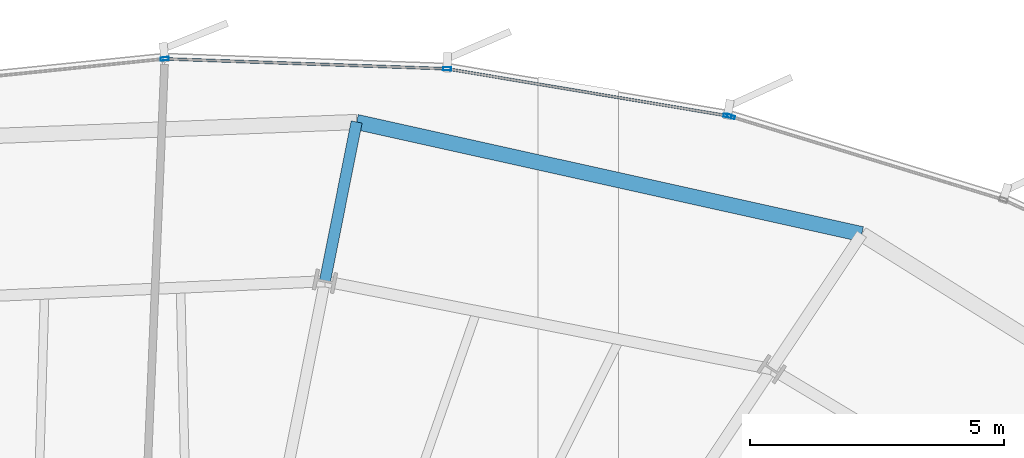
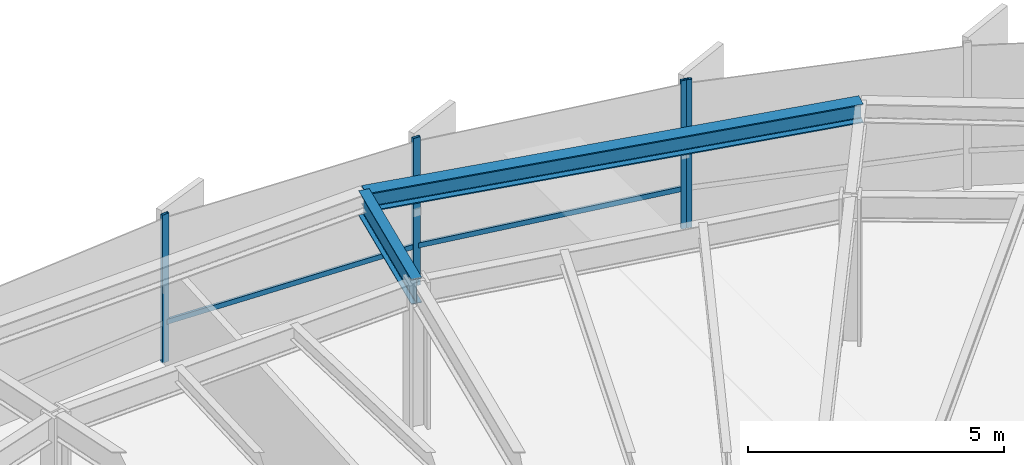
# One storey, part 25 of 35: 6 members, 2 beams, 2 elements without a shape of their own.
"""IFC4 building model written with IfcOpenShell, lengths in metres."""

from ifc_helpers import new_model, si_unit, direction, frame, origin, origin_2d, place, context, subcontext, project, spatial, hollow_rectangle, i_section, extrude, source, transform, mapped, material, layer, layer_set, material_profile, profile_set, type_object, element, aggregate, save


model = new_model("IFC4")

# Units and contexts
model_context = context("Model", 3, precision=1e-05, world=origin(), true_north=direction((0.0, 1.0)))
body_context = subcontext(model_context, "Body", "Model", "MODEL_VIEW")
ifc_project = project(units=[si_unit("LENGTHUNIT", "METRE"), si_unit("AREAUNIT", "SQUARE_METRE"), si_unit("VOLUMEUNIT", "CUBIC_METRE"), si_unit("PLANEANGLEUNIT", "RADIAN"), si_unit("MASSUNIT", "GRAM", prefix="KILO"), si_unit("THERMODYNAMICTEMPERATUREUNIT", "KELVIN")], contexts=[model_context])

# Site, building, storey
site_placement = place(None, origin())
site = spatial("IfcSite", under=ifc_project, at=site_placement, CompositionType="ELEMENT")
building_placement = place(site_placement, origin())
building = spatial("IfcBuilding", under=site, at=building_placement, Name="Kethvar Cultural Tower", CompositionType="ELEMENT")
storey_placement = place(building_placement, frame((0.0, 0.0, 71.39990234375)))
storey = spatial("IfcBuildingStorey", under=building, at=storey_placement, Name="L17", CompositionType="ELEMENT", Elevation=71.39990234375)

# Beams
ifc_material_1 = material(Name="Steel S355J2", Category="steel")
ifc_material_profile_1 = material_profile(ifc_material_1, i_section(OverallWidth=0.219970703125, OverallDepth=0.60009765625, WebThickness=0.011962890625, FlangeThickness=0.01904296875, FilletRadius=0.02392578125, at=origin_2d()), Name="Steel S355J2 — IPE600")
ifc_profile_set_1 = profile_set([ifc_material_profile_1], Name="Steel S355J2 — IPE600")
beam_type_1 = type_object("IfcBeamType", Name="BM-IPE600", PredefinedType="BEAM", material=ifc_profile_set_1)
shared_shape_1 = source(origin(), body_context, "Body", "SweptSolid", [
    extrude(i_section(OverallWidth=0.219970703125, OverallDepth=0.60009765625, WebThickness=0.011962890625, FlangeThickness=0.01904296875, FilletRadius=0.02392578125, at=origin_2d()), origin(), (0.0, 0.0, 1.0), 3.199951171875),
])
beam_1_placement = place(storey_placement, frame((51.022216796875, 49.02587890625, 3.238037109375), z_axis=(0.195088965533, 0.980785550224, 0.0), x_axis=(-0.980785550224, 0.195088965533, 0.0)))
element("IfcBeam", 1, at=beam_1_placement, inside=storey, type_object=beam_type_1, Name="L17 Perimeter Cantilever Beam RC-04", PredefinedType="BEAM", context=body_context, shape_type="MappedRepresentation", body=[
    mapped(shared_shape_1, transform((0.0, 0.0, 0.0), scale=1.0)),
])
ifc_material_profile_2 = material_profile(ifc_material_1, i_section(OverallWidth=0.300048828125, OverallDepth=0.449951171875, WebThickness=0.013916015625, FlangeThickness=0.02587890625, FilletRadius=0.027099609375, at=origin_2d()), Name="Steel S355J2 — HEB450")
ifc_profile_set_2 = profile_set([ifc_material_profile_2], Name="Steel S355J2 — HEB450")
beam_type_2 = type_object("IfcBeamType", Name="BM-SP450", PredefinedType="SPANDREL", material=ifc_profile_set_2)
shared_shape_2 = source(origin(), body_context, "Body", "SweptSolid", [
    extrude(i_section(OverallWidth=0.300048828125, OverallDepth=0.449951171875, WebThickness=0.013916015625, FlangeThickness=0.02587890625, FilletRadius=0.027099609375, at=origin_2d()), origin(), (0.0, 0.0, 1.0), 10.19873046875),
])
beam_2_placement = place(storey_placement, frame((61.602783203125, 49.9541015625, 3.31298828125), z_axis=(-0.976234913358, 0.216715006268, 0.0), x_axis=(-0.216715006268, -0.976234913358, 0.0)))
element("IfcBeam", 2, at=beam_2_placement, inside=storey, type_object=beam_type_2, Name="L17 Perimeter Spandrel Beam SP-03", PredefinedType="SPANDREL", context=body_context, shape_type="MappedRepresentation", body=[
    mapped(shared_shape_2, transform((0.0, 0.0, 0.0), scale=1.0)),
])

# Curtain wall, member
ifc_material_2 = material(Name="Aluminium 6063-T6", Category="aluminium")
ifc_layer = layer(ifc_material_2, 0.179931640625, Name="Aluminium 6063-T6", Category="aluminium")
ifc_layer_set = layer_set([ifc_layer], Name="Aluminium 6063-T6 (180 mm)")
curtain_wall_type = type_object("IfcCurtainWallType", Name="CW-SYS-02-Z1", PredefinedType="NOTDEFINED", material=ifc_layer_set)
curtain_wall_1_placement = place(storey_placement, origin())
curtain_wall_1 = element("IfcCurtainWall", 3, at=curtain_wall_1_placement, inside=storey, type_object=curtain_wall_type, Name="L17 Curtain Wall Run 01", PredefinedType="NOTDEFINED")
ifc_material_profile_3 = material_profile(ifc_material_2, hollow_rectangle(XDim=0.06494140625, YDim=0.159912109375, WallThickness=0.0048828125, at=origin_2d()), Name="Aluminium 6063-T6 — RHS160x65x5")
ifc_profile_set_3 = profile_set([ifc_material_profile_3], Name="Aluminium 6063-T6 — RHS160x65x5")
member_type_1 = type_object("IfcMemberType", Name="CW-SYS-02-Z1-MUL", PredefinedType="MULLION", material=ifc_profile_set_3)
shared_shape_3 = source(origin(), body_context, "Body", "SweptSolid", [
    extrude(hollow_rectangle(XDim=0.06494140625, YDim=0.159912109375, WallThickness=0.0048828125, at=origin_2d()), origin(), (0.0, 0.0, 1.0), 3.5400390625),
])
member_1_placement = place(storey_placement, frame((59.024658203125, 52.27001953125, 0.0), z_axis=(0.0, 0.0, 1.0), x_axis=(-0.291620534626, -0.956534089191, 0.0)))
member_1 = element("IfcMember", 4, at=member_1_placement, type_object=member_type_1, Name="CW-L17-R01 Mullion 7", PredefinedType="MULLION", context=body_context, shape_type="MappedRepresentation", body=[
    mapped(shared_shape_3, transform((0.0, 0.0, 0.0), scale=1.0)),
])
aggregate(curtain_wall_1, [member_1])

# Curtain wall, members
curtain_wall_2_placement = place(storey_placement, origin())
curtain_wall_2 = element("IfcCurtainWall", 5, at=curtain_wall_2_placement, inside=storey, type_object=curtain_wall_type, Name="L17 Curtain Wall Run 02", PredefinedType="NOTDEFINED")
member_2_placement = place(storey_placement, frame((58.957763671875, 52.28564453125, 0.0), z_axis=(0.0, 0.0, 1.0), x_axis=(-0.165271382715, -0.986248128037, 0.0)))
member_2 = element("IfcMember", 6, at=member_2_placement, type_object=member_type_1, Name="CW-L17-R02 Mullion 1", PredefinedType="MULLION", context=body_context, shape_type="MappedRepresentation", body=[
    mapped(shared_shape_3, transform((0.0, 0.0, 0.0), scale=1.0)),
])
member_3_placement = place(storey_placement, frame((53.42919921875, 53.213134765625, 0.0), z_axis=(0.0, 0.0, 1.0), x_axis=(-0.035178577905, -0.999381042274, 0.0)))
member_3 = element("IfcMember", 7, at=member_3_placement, type_object=member_type_1, Name="CW-L17-R02 Mullion 2", PredefinedType="MULLION", context=body_context, shape_type="MappedRepresentation", body=[
    mapped(shared_shape_3, transform((0.0, 0.0, 0.0), scale=1.0)),
])
member_4_placement = place(storey_placement, frame((47.865478515625, 53.41015625, 0.0), z_axis=(0.0, 0.0, 1.0), x_axis=(0.101646653453, -0.994820565651, 0.0)))
member_4 = element("IfcMember", 8, at=member_4_placement, type_object=member_type_1, Name="CW-L17-R02 Mullion 3", PredefinedType="MULLION", context=body_context, shape_type="MappedRepresentation", body=[
    mapped(shared_shape_3, transform((0.0, 0.0, 0.0), scale=1.0)),
])
ifc_material_profile_4 = material_profile(ifc_material_2, hollow_rectangle(XDim=0.054931640625, YDim=0.1201171875, WallThickness=0.00390625, at=origin_2d()), Name="Aluminium 6063-T6 — RHS120x55x4")
ifc_profile_set_4 = profile_set([ifc_material_profile_4], Name="Aluminium 6063-T6 — RHS120x55x4")
member_type_2 = type_object("IfcMemberType", Name="CW-SYS-02-Z1-TRN", PredefinedType="USERDEFINED", material=ifc_profile_set_4)
shared_shape_4 = source(origin(), body_context, "Body", "SweptSolid", [
    extrude(hollow_rectangle(XDim=0.054931640625, YDim=0.1201171875, WallThickness=0.00390625, at=origin_2d()), origin(), (0.0, 0.0, 1.0), 5.5703125),
])
member_5_placement = place(storey_placement, frame((58.953369140625, 52.28662109375, 0.9501953125), z_axis=(-0.98625378638, 0.165237613308, 0.0), x_axis=(-0.165237613308, -0.98625378638, 0.0)))
member_5 = element("IfcMember", 9, at=member_5_placement, type_object=member_type_2, Name="CW-L17-R02 Transom 1", ObjectType="TRANSOM", PredefinedType="USERDEFINED", context=body_context, shape_type="MappedRepresentation", body=[
    mapped(shared_shape_4, transform((0.0, 0.0, 0.0), scale=1.0)),
])
shared_shape_5 = source(origin(), body_context, "Body", "SweptSolid", [
    extrude(hollow_rectangle(XDim=0.054931640625, YDim=0.1201171875, WallThickness=0.00390625, at=origin_2d()), origin(), (0.0, 0.0, 1.0), 5.489990234375),
])
member_6_placement = place(storey_placement, frame((53.382568359375, 53.21484375, 0.9501953125), z_axis=(-0.999381132657, 0.035176010142, 0.0), x_axis=(-0.035176010142, -0.999381132657, 0.0)))
member_6 = element("IfcMember", 10, at=member_6_placement, type_object=member_type_2, Name="CW-L17-R02 Transom 2", ObjectType="TRANSOM", PredefinedType="USERDEFINED", context=body_context, shape_type="MappedRepresentation", body=[
    mapped(shared_shape_5, transform((0.0, 0.0, 0.0), scale=1.0)),
])
aggregate(curtain_wall_2, [member_2, member_3, member_4, member_5, member_6])

save(model, "model.ifc")
